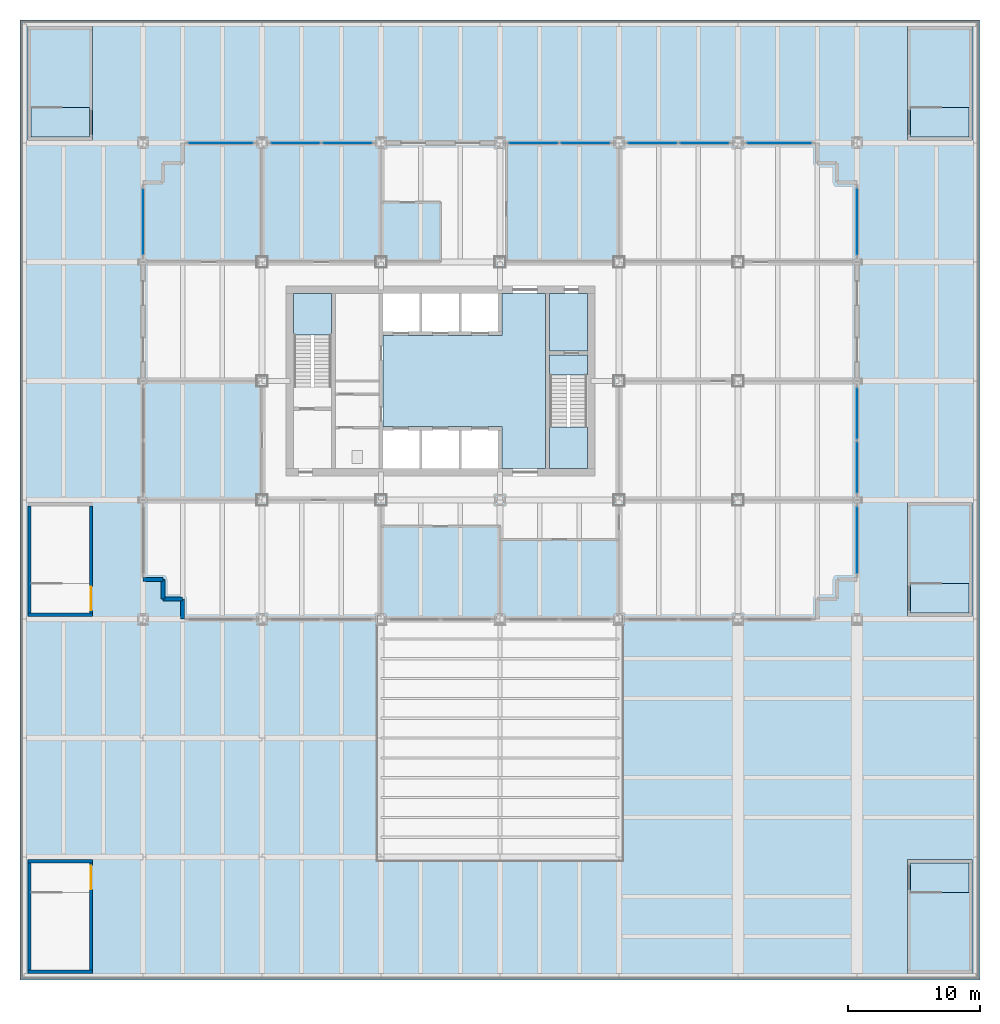
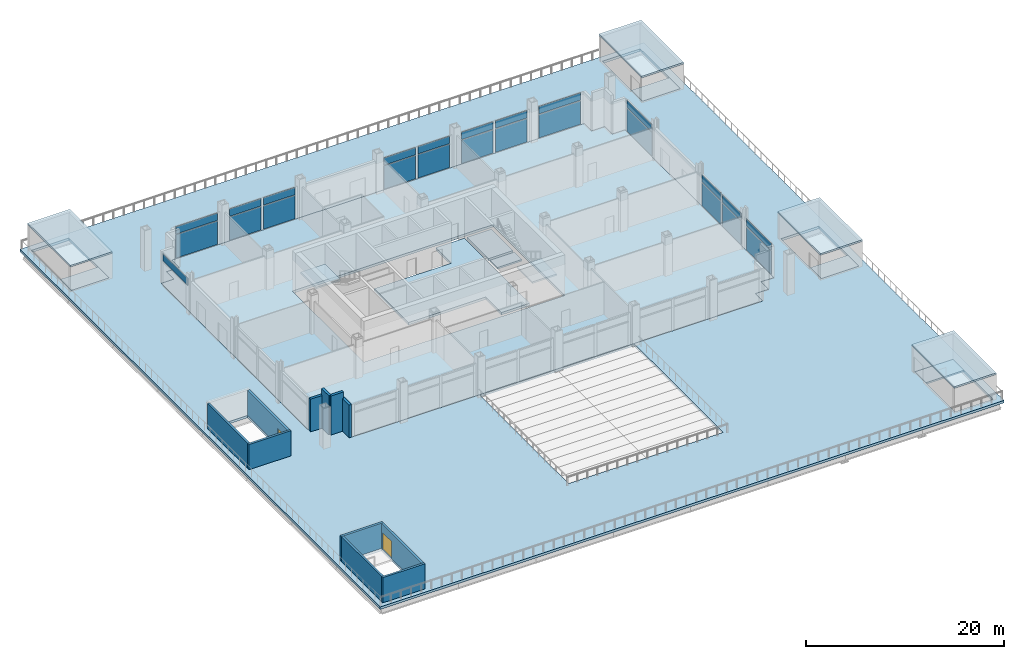
# One storey, part 7 of 16: 25 plates, 15 slabs, 11 walls, 2 doors, 2 openings, 11 elements without a shape of their own.
"""IFC4 building model written with IfcOpenShell, lengths in metres."""

from ifc_helpers import new_model, si_unit, direction, frame, frame_2d, origin, origin_2d, place, context, subcontext, project, spatial, polyline, rectangle, outline, extrude, material, layer, layer_set, type_object, element, fill, aggregate, save


model = new_model("IFC4")

# Units and contexts
model_context = context("Model", 3, precision=1e-05, world=origin(), true_north=direction((0.0, 1.0)))
body_context = subcontext(model_context, "Body", "Model", "MODEL_VIEW")
ifc_project = project(units=[si_unit("LENGTHUNIT", "METRE"), si_unit("AREAUNIT", "SQUARE_METRE"), si_unit("VOLUMEUNIT", "CUBIC_METRE"), si_unit("PLANEANGLEUNIT", "RADIAN"), si_unit("MASSUNIT", "GRAM", prefix="KILO")], contexts=[model_context])

# Site, building, storey
site_placement = place(None, origin())
site = spatial("IfcSite", under=ifc_project, at=site_placement, CompositionType="ELEMENT")
building_placement = place(site_placement, origin())
building = spatial("IfcBuilding", under=site, at=building_placement, Name="Loomwork Tower", CompositionType="ELEMENT")
storey_placement = place(building_placement, frame((0.0, 0.0, 23.0)))
storey = spatial("IfcBuildingStorey", under=building, at=storey_placement, Name="L04", CompositionType="ELEMENT", Elevation=23.0)

# Slabs
ifc_material_1 = material(Name="Concrete 5000 psi (34 MPa) on composite metal deck", Category="concrete")
ifc_layer_1 = layer(ifc_material_1, 0.300048828125)
ifc_layer_set_1 = layer_set([ifc_layer_1], Name="Floor slab 300")
slab_type_1 = type_object("IfcSlabType", Name="Floor slab 300", PredefinedType="FLOOR", material=ifc_layer_set_1)
slab_1_placement = place(storey_placement, frame((0.0, 0.0, -0.300048828125)))
element("IfcSlab", 1, at=slab_1_placement, inside=storey, type_object=slab_type_1, Name="Floor slab L04", PredefinedType="FLOOR", context=body_context, shape_type="SweptSolid", body=[
    extrude(outline(polyline([(3.0, 1.5), (1.5, 1.5), (1.5, 3.0), (0.0, 3.0), (0.0, 33.0), (1.5, 33.0), (1.5, 34.5), (3.0, 34.5), (3.0, 36.0), (51.0, 36.0), (51.0, 34.5), (52.5, 34.5), (52.5, 33.0), (54.0, 33.0), (54.0, 3.0), (52.5, 3.0), (52.5, 1.5), (51.0, 1.5), (51.0, 0.0), (3.0, 0.0), (3.0, 1.5)]), holes=[polyline([(10.800048828125, 11.39990234375), (10.800048828125, 11.39990234375), (10.800048828125, 10.800048828125), (34.199951171875, 10.800048828125), (34.199951171875, 11.39990234375), (34.199951171875, 11.39990234375), (34.199951171875, 24.60009765625), (34.199951171875, 25.199951171875), (10.800048828125, 25.199951171875), (10.800048828125, 24.60009765625), (10.800048828125, 11.39990234375)])]), origin(), (0.0, 0.0, 1.0), 0.300048828125),
])
slab_2_placement = place(storey_placement, frame((0.0, 0.0, -0.300048828125)))
element("IfcSlab", 2, at=slab_2_placement, inside=storey, type_object=slab_type_1, Name="Floor slab L04", PredefinedType="FLOOR", context=body_context, shape_type="SweptSolid", body=[
    extrude(outline(polyline([(30.449951171875, 24.60009765625), (30.449951171875, 11.39990234375), (27.14990234375, 11.39990234375), (27.14990234375, 14.25), (27.14990234375, 14.550048828125), (18.14990234375, 14.550048828125), (18.14990234375, 21.449951171875), (27.14990234375, 21.449951171875), (27.14990234375, 21.75), (27.14990234375, 24.60009765625), (30.449951171875, 24.60009765625)])), origin(), (0.0, 0.0, 1.0), 0.300048828125),
])
slab_3_placement = place(storey_placement, frame((0.0, 0.0, -0.300048828125)))
element("IfcSlab", 3, at=slab_3_placement, inside=storey, type_object=slab_type_1, Name="Floor slab L04", PredefinedType="FLOOR", context=body_context, shape_type="SweptSolid", body=[
    extrude(outline(polyline([(33.60009765625, 20.25), (30.75, 20.25), (30.75, 24.60009765625), (33.60009765625, 24.60009765625), (33.60009765625, 20.25)])), origin(), (0.0, 0.0, 1.0), 0.300048828125),
])
ifc_material_2 = material(Name="Concrete 5000 psi (34 MPa) on composite metal deck", Category="concrete")
ifc_layer_2 = layer(ifc_material_2, 0.300048828125)
ifc_layer_set_2 = layer_set([ifc_layer_2], Name="Roof slab 300")
slab_type_2 = type_object("IfcSlabType", Name="Roof slab 300", PredefinedType="ROOF", material=ifc_layer_set_2)
slab_4_placement = place(storey_placement, frame((0.0, 0.0, -0.300048828125)))
element("IfcSlab", 4, at=slab_4_placement, inside=storey, type_object=slab_type_2, Name="Podium roof terrace", PredefinedType="ROOF", context=body_context, shape_type="SweptSolid", body=[
    extrude(outline(polyline([(63.300048828125, 45.300048828125), (63.300048828125, -27.300048828125), (-9.300048828125, -27.300048828125), (-9.300048828125, 45.300048828125), (63.300048828125, 45.300048828125)]), holes=[polyline([(58.050048828125, -18.449951171875), (58.050048828125, -26.550048828125), (62.449951171875, -26.550048828125), (62.449951171875, -18.449951171875), (58.050048828125, -18.449951171875)]), polyline([(58.050048828125, 0.449951171875), (62.449951171875, 0.449951171875), (62.449951171875, 8.550048828125), (58.050048828125, 8.550048828125), (58.050048828125, 0.449951171875)]), polyline([(58.050048828125, 44.550048828125), (58.050048828125, 36.449951171875), (62.449951171875, 36.449951171875), (62.449951171875, 44.550048828125), (58.050048828125, 44.550048828125)]), polyline([(52.5, 1.5), (52.5, 3.0), (54.0, 3.0), (54.0, 33.0), (52.5, 33.0), (52.5, 34.5), (51.0, 34.5), (51.0, 36.0), (3.0, 36.0), (3.0, 34.5), (1.5, 34.5), (1.5, 33.0), (0.0, 33.0), (0.0, 3.0), (1.5, 3.0), (1.5, 1.5), (3.0, 1.5), (3.0, 0.0), (18.0, 0.0), (18.0, -18.0), (36.0, -18.0), (36.0, 0.0), (51.0, 0.0), (51.0, 1.5), (52.5, 1.5)]), polyline([(-8.449951171875, -26.550048828125), (-4.050048828125, -26.550048828125), (-4.050048828125, -18.449951171875), (-8.449951171875, -18.449951171875), (-8.449951171875, -26.550048828125)]), polyline([(-8.449951171875, 8.550048828125), (-8.449951171875, 0.449951171875), (-4.050048828125, 0.449951171875), (-4.050048828125, 8.550048828125), (-8.449951171875, 8.550048828125)]), polyline([(-8.449951171875, 44.550048828125), (-8.449951171875, 36.449951171875), (-4.050048828125, 36.449951171875), (-4.050048828125, 44.550048828125), (-8.449951171875, 44.550048828125)])]), origin(), (0.0, 0.0, 1.0), 0.300048828125),
])

# Curtain wall, plates
ifc_material_3 = material(Name="Aluminium curtain wall frame", Category="aluminium")
curtain_wall_type = type_object("IfcCurtainWallType", Name="Sky lobby glazing", PredefinedType="NOTDEFINED", material=ifc_material_3)
curtain_wall_1_placement = place(storey_placement, origin())
curtain_wall_1 = element("IfcCurtainWall", 5, at=curtain_wall_1_placement, inside=storey, type_object=curtain_wall_type, Name="Sky lobby glazing cw/N-0", PredefinedType="NOTDEFINED")
ifc_material_4 = material(Name="Clear insulated glass", Category="glass")
ifc_layer_3 = layer(ifc_material_4, 0.031982421875)
ifc_layer_set_3 = layer_set([ifc_layer_3], Name="Sky lobby glazing panel")
plate_type = type_object("IfcPlateType", Name="Sky lobby glazing panel", PredefinedType="CURTAIN_PANEL", material=ifc_layer_set_3)
plate_1_placement = place(storey_placement, frame((5.875, 36.0, 0.080078125), z_axis=(0.0, 0.0, 1.0), x_axis=(-1.0, 0.0, 0.0)))
plate_1 = element("IfcPlate", 6, at=plate_1_placement, type_object=plate_type, Name="CW6 panel 1.1", PredefinedType="CURTAIN_PANEL", context=body_context, shape_type="SweptSolid", body=[
    extrude(rectangle(XDim=4.85009765625, YDim=0.031982421875, at=origin_2d()), origin(), (0.0, 0.0, 1.0), 2.8798828125),
])
plate_2_placement = place(storey_placement, frame((5.875, 36.0, 3.0400390625), z_axis=(0.0, 0.0, 1.0), x_axis=(-1.0, 0.0, 0.0)))
plate_2 = element("IfcPlate", 7, at=plate_2_placement, type_object=plate_type, Name="CW6 panel 1.2", PredefinedType="CURTAIN_PANEL", context=body_context, shape_type="SweptSolid", body=[
    extrude(rectangle(XDim=4.85009765625, YDim=0.031982421875, at=origin_2d()), origin(), (0.0, 0.0, 1.0), 0.900146484375),
])
aggregate(curtain_wall_1, [plate_1, plate_2])

curtain_wall_2_placement = place(storey_placement, origin())
curtain_wall_2 = element("IfcCurtainWall", 8, at=curtain_wall_2_placement, inside=storey, type_object=curtain_wall_type, Name="Sky lobby glazing cw/N-9", PredefinedType="NOTDEFINED")
plate_3_placement = place(storey_placement, frame((15.47509765625, 36.0, 0.080078125), z_axis=(0.0, 0.0, 1.0), x_axis=(-1.0, 0.0, 0.0)))
plate_3 = element("IfcPlate", 9, at=plate_3_placement, type_object=plate_type, Name="CW6 panel 1.1", PredefinedType="CURTAIN_PANEL", context=body_context, shape_type="SweptSolid", body=[
    extrude(rectangle(XDim=3.64990234375, YDim=0.031982421875, at=origin_2d()), origin(), (0.0, 0.0, 1.0), 2.8798828125),
])
plate_4_placement = place(storey_placement, frame((15.47509765625, 36.0, 3.0400390625), z_axis=(0.0, 0.0, 1.0), x_axis=(-1.0, 0.0, 0.0)))
plate_4 = element("IfcPlate", 10, at=plate_4_placement, type_object=plate_type, Name="CW6 panel 1.2", PredefinedType="CURTAIN_PANEL", context=body_context, shape_type="SweptSolid", body=[
    extrude(rectangle(XDim=3.64990234375, YDim=0.031982421875, at=origin_2d()), origin(), (0.0, 0.0, 1.0), 0.900146484375),
])
plate_5_placement = place(storey_placement, frame((11.52490234375, 36.0, 0.080078125), z_axis=(0.0, 0.0, 1.0), x_axis=(-1.0, 0.0, 0.0)))
plate_5 = element("IfcPlate", 11, at=plate_5_placement, type_object=plate_type, Name="CW6 panel 2.1", PredefinedType="CURTAIN_PANEL", context=body_context, shape_type="SweptSolid", body=[
    extrude(rectangle(XDim=3.64990234375, YDim=0.031982421875, at=origin_2d()), origin(), (0.0, 0.0, 1.0), 2.8798828125),
])
plate_6_placement = place(storey_placement, frame((11.52490234375, 36.0, 3.0400390625), z_axis=(0.0, 0.0, 1.0), x_axis=(-1.0, 0.0, 0.0)))
plate_6 = element("IfcPlate", 12, at=plate_6_placement, type_object=plate_type, Name="CW6 panel 2.2", PredefinedType="CURTAIN_PANEL", context=body_context, shape_type="SweptSolid", body=[
    extrude(rectangle(XDim=3.64990234375, YDim=0.031982421875, at=origin_2d()), origin(), (0.0, 0.0, 1.0), 0.900146484375),
])
aggregate(curtain_wall_2, [plate_3, plate_4, plate_5, plate_6])

curtain_wall_3_placement = place(storey_placement, origin())
curtain_wall_3 = element("IfcCurtainWall", 13, at=curtain_wall_3_placement, inside=storey, type_object=curtain_wall_type, Name="Sky lobby glazing cw/N-27", PredefinedType="NOTDEFINED")
plate_7_placement = place(storey_placement, frame((33.47509765625, 36.0, 0.080078125), z_axis=(0.0, 0.0, 1.0), x_axis=(-1.0, 0.0, 0.0)))
plate_7 = element("IfcPlate", 14, at=plate_7_placement, type_object=plate_type, Name="CW6 panel 1.1", PredefinedType="CURTAIN_PANEL", context=body_context, shape_type="SweptSolid", body=[
    extrude(rectangle(XDim=3.64990234375, YDim=0.031982421875, at=origin_2d()), origin(), (0.0, 0.0, 1.0), 2.8798828125),
])
plate_8_placement = place(storey_placement, frame((33.47509765625, 36.0, 3.0400390625), z_axis=(0.0, 0.0, 1.0), x_axis=(-1.0, 0.0, 0.0)))
plate_8 = element("IfcPlate", 15, at=plate_8_placement, type_object=plate_type, Name="CW6 panel 1.2", PredefinedType="CURTAIN_PANEL", context=body_context, shape_type="SweptSolid", body=[
    extrude(rectangle(XDim=3.64990234375, YDim=0.031982421875, at=origin_2d()), origin(), (0.0, 0.0, 1.0), 0.900146484375),
])
plate_9_placement = place(storey_placement, frame((29.52490234375, 36.0, 0.080078125), z_axis=(0.0, 0.0, 1.0), x_axis=(-1.0, 0.0, 0.0)))
plate_9 = element("IfcPlate", 16, at=plate_9_placement, type_object=plate_type, Name="CW6 panel 2.1", PredefinedType="CURTAIN_PANEL", context=body_context, shape_type="SweptSolid", body=[
    extrude(rectangle(XDim=3.64990234375, YDim=0.031982421875, at=origin_2d()), origin(), (0.0, 0.0, 1.0), 2.8798828125),
])
plate_10_placement = place(storey_placement, frame((29.52490234375, 36.0, 3.0400390625), z_axis=(0.0, 0.0, 1.0), x_axis=(-1.0, 0.0, 0.0)))
plate_10 = element("IfcPlate", 17, at=plate_10_placement, type_object=plate_type, Name="CW6 panel 2.2", PredefinedType="CURTAIN_PANEL", context=body_context, shape_type="SweptSolid", body=[
    extrude(rectangle(XDim=3.64990234375, YDim=0.031982421875, at=origin_2d()), origin(), (0.0, 0.0, 1.0), 0.900146484375),
])
aggregate(curtain_wall_3, [plate_7, plate_8, plate_9, plate_10])

curtain_wall_4_placement = place(storey_placement, origin())
curtain_wall_4 = element("IfcCurtainWall", 18, at=curtain_wall_4_placement, inside=storey, type_object=curtain_wall_type, Name="Sky lobby glazing cw/N-36", PredefinedType="NOTDEFINED")
plate_11_placement = place(storey_placement, frame((42.47509765625, 36.0, 0.080078125), z_axis=(0.0, 0.0, 1.0), x_axis=(-1.0, 0.0, 0.0)))
plate_11 = element("IfcPlate", 19, at=plate_11_placement, type_object=plate_type, Name="CW6 panel 1.1", PredefinedType="CURTAIN_PANEL", context=body_context, shape_type="SweptSolid", body=[
    extrude(rectangle(XDim=3.64990234375, YDim=0.031982421875, at=origin_2d()), origin(), (0.0, 0.0, 1.0), 2.8798828125),
])
plate_12_placement = place(storey_placement, frame((42.47509765625, 36.0, 3.0400390625), z_axis=(0.0, 0.0, 1.0), x_axis=(-1.0, 0.0, 0.0)))
plate_12 = element("IfcPlate", 20, at=plate_12_placement, type_object=plate_type, Name="CW6 panel 1.2", PredefinedType="CURTAIN_PANEL", context=body_context, shape_type="SweptSolid", body=[
    extrude(rectangle(XDim=3.64990234375, YDim=0.031982421875, at=origin_2d()), origin(), (0.0, 0.0, 1.0), 0.900146484375),
])
plate_13_placement = place(storey_placement, frame((38.52490234375, 36.0, 0.080078125), z_axis=(0.0, 0.0, 1.0), x_axis=(-1.0, 0.0, 0.0)))
plate_13 = element("IfcPlate", 21, at=plate_13_placement, type_object=plate_type, Name="CW6 panel 2.1", PredefinedType="CURTAIN_PANEL", context=body_context, shape_type="SweptSolid", body=[
    extrude(rectangle(XDim=3.64990234375, YDim=0.031982421875, at=origin_2d()), origin(), (0.0, 0.0, 1.0), 2.8798828125),
])
plate_14_placement = place(storey_placement, frame((38.52490234375, 36.0, 3.0400390625), z_axis=(0.0, 0.0, 1.0), x_axis=(-1.0, 0.0, 0.0)))
plate_14 = element("IfcPlate", 22, at=plate_14_placement, type_object=plate_type, Name="CW6 panel 2.2", PredefinedType="CURTAIN_PANEL", context=body_context, shape_type="SweptSolid", body=[
    extrude(rectangle(XDim=3.64990234375, YDim=0.031982421875, at=origin_2d()), origin(), (0.0, 0.0, 1.0), 0.900146484375),
])
aggregate(curtain_wall_4, [plate_11, plate_12, plate_13, plate_14])

curtain_wall_5_placement = place(storey_placement, origin())
curtain_wall_5 = element("IfcCurtainWall", 23, at=curtain_wall_5_placement, inside=storey, type_object=curtain_wall_type, Name="Sky lobby glazing cw/N-45", PredefinedType="NOTDEFINED")
plate_15_placement = place(storey_placement, frame((48.125, 36.0, 0.080078125), z_axis=(0.0, 0.0, 1.0), x_axis=(-1.0, 0.0, 0.0)))
plate_15 = element("IfcPlate", 24, at=plate_15_placement, type_object=plate_type, Name="CW6 panel 1.1", PredefinedType="CURTAIN_PANEL", context=body_context, shape_type="SweptSolid", body=[
    extrude(rectangle(XDim=4.85009765625, YDim=0.031982421875, at=origin_2d()), origin(), (0.0, 0.0, 1.0), 2.8798828125),
])
plate_16_placement = place(storey_placement, frame((48.125, 36.0, 3.0400390625), z_axis=(0.0, 0.0, 1.0), x_axis=(-1.0, 0.0, 0.0)))
plate_16 = element("IfcPlate", 25, at=plate_16_placement, type_object=plate_type, Name="CW6 panel 1.2", PredefinedType="CURTAIN_PANEL", context=body_context, shape_type="SweptSolid", body=[
    extrude(rectangle(XDim=4.85009765625, YDim=0.031982421875, at=origin_2d()), origin(), (0.0, 0.0, 1.0), 0.900146484375),
])
aggregate(curtain_wall_5, [plate_15, plate_16])

# Curtain wall, plate
curtain_wall_6_placement = place(storey_placement, origin())
curtain_wall_6 = element("IfcCurtainWall", 26, at=curtain_wall_6_placement, inside=storey, type_object=curtain_wall_type, Name="Sky lobby glazing cw/W-27", PredefinedType="NOTDEFINED")
plate_17_placement = place(storey_placement, frame((0.0, 30.04443359375, 3.0400390625), z_axis=(0.0, 0.0, 1.0), x_axis=(0.0, -1.0, 0.0)))
plate_17 = element("IfcPlate", 27, at=plate_17_placement, type_object=plate_type, Name="CW6 panel 1.2", PredefinedType="CURTAIN_PANEL", context=body_context, shape_type="SweptSolid", body=[
    extrude(rectangle(XDim=5.01123046875, YDim=0.031982421875, at=origin_2d()), origin(), (0.0, 0.0, 1.0), 0.900146484375),
])
aggregate(curtain_wall_6, [plate_17])

# Curtain wall, plates
curtain_wall_7_placement = place(storey_placement, origin())
curtain_wall_7 = element("IfcCurtainWall", 28, at=curtain_wall_7_placement, inside=storey, type_object=curtain_wall_type, Name="Sky lobby glazing cw/E-0", PredefinedType="NOTDEFINED")
plate_18_placement = place(storey_placement, frame((54.0, 5.95556640625, 0.080078125), z_axis=(0.0, 0.0, 1.0), x_axis=(0.0, 1.0, 0.0)))
plate_18 = element("IfcPlate", 29, at=plate_18_placement, type_object=plate_type, Name="CW6 panel 1.1", PredefinedType="CURTAIN_PANEL", context=body_context, shape_type="SweptSolid", body=[
    extrude(rectangle(XDim=5.01123046875, YDim=0.031982421875, at=origin_2d()), origin(), (0.0, 0.0, 1.0), 2.8798828125),
])
plate_19_placement = place(storey_placement, frame((54.0, 5.95556640625, 3.0400390625), z_axis=(0.0, 0.0, 1.0), x_axis=(0.0, 1.0, 0.0)))
plate_19 = element("IfcPlate", 30, at=plate_19_placement, type_object=plate_type, Name="CW6 panel 1.2", PredefinedType="CURTAIN_PANEL", context=body_context, shape_type="SweptSolid", body=[
    extrude(rectangle(XDim=5.01123046875, YDim=0.031982421875, at=origin_2d()), origin(), (0.0, 0.0, 1.0), 0.900146484375),
])
aggregate(curtain_wall_7, [plate_18, plate_19])

curtain_wall_8_placement = place(storey_placement, origin())
curtain_wall_8 = element("IfcCurtainWall", 31, at=curtain_wall_8_placement, inside=storey, type_object=curtain_wall_type, Name="Sky lobby glazing cw/E-9", PredefinedType="NOTDEFINED")
plate_20_placement = place(storey_placement, frame((54.0, 11.4443359375, 0.080078125), z_axis=(0.0, 0.0, 1.0), x_axis=(0.0, 1.0, 0.0)))
plate_20 = element("IfcPlate", 32, at=plate_20_placement, type_object=plate_type, Name="CW6 panel 1.1", PredefinedType="CURTAIN_PANEL", context=body_context, shape_type="SweptSolid", body=[
    extrude(rectangle(XDim=3.811279296875, YDim=0.031982421875, at=origin_2d()), origin(), (0.0, 0.0, 1.0), 2.8798828125),
])
plate_21_placement = place(storey_placement, frame((54.0, 11.4443359375, 3.0400390625), z_axis=(0.0, 0.0, 1.0), x_axis=(0.0, 1.0, 0.0)))
plate_21 = element("IfcPlate", 33, at=plate_21_placement, type_object=plate_type, Name="CW6 panel 1.2", PredefinedType="CURTAIN_PANEL", context=body_context, shape_type="SweptSolid", body=[
    extrude(rectangle(XDim=3.811279296875, YDim=0.031982421875, at=origin_2d()), origin(), (0.0, 0.0, 1.0), 0.900146484375),
])
plate_22_placement = place(storey_placement, frame((54.0, 15.5556640625, 0.080078125), z_axis=(0.0, 0.0, 1.0), x_axis=(0.0, 1.0, 0.0)))
plate_22 = element("IfcPlate", 34, at=plate_22_placement, type_object=plate_type, Name="CW6 panel 2.1", PredefinedType="CURTAIN_PANEL", context=body_context, shape_type="SweptSolid", body=[
    extrude(rectangle(XDim=3.811279296875, YDim=0.031982421875, at=origin_2d()), origin(), (0.0, 0.0, 1.0), 2.8798828125),
])
plate_23_placement = place(storey_placement, frame((54.0, 15.5556640625, 3.0400390625), z_axis=(0.0, 0.0, 1.0), x_axis=(0.0, 1.0, 0.0)))
plate_23 = element("IfcPlate", 35, at=plate_23_placement, type_object=plate_type, Name="CW6 panel 2.2", PredefinedType="CURTAIN_PANEL", context=body_context, shape_type="SweptSolid", body=[
    extrude(rectangle(XDim=3.811279296875, YDim=0.031982421875, at=origin_2d()), origin(), (0.0, 0.0, 1.0), 0.900146484375),
])
aggregate(curtain_wall_8, [plate_20, plate_21, plate_22, plate_23])

curtain_wall_9_placement = place(storey_placement, origin())
curtain_wall_9 = element("IfcCurtainWall", 36, at=curtain_wall_9_placement, inside=storey, type_object=curtain_wall_type, Name="Sky lobby glazing cw/E-27", PredefinedType="NOTDEFINED")
plate_24_placement = place(storey_placement, frame((54.0, 30.04443359375, 0.080078125), z_axis=(0.0, 0.0, 1.0), x_axis=(0.0, 1.0, 0.0)))
plate_24 = element("IfcPlate", 37, at=plate_24_placement, type_object=plate_type, Name="CW6 panel 1.1", PredefinedType="CURTAIN_PANEL", context=body_context, shape_type="SweptSolid", body=[
    extrude(rectangle(XDim=5.01123046875, YDim=0.031982421875, at=origin_2d()), origin(), (0.0, 0.0, 1.0), 2.8798828125),
])
plate_25_placement = place(storey_placement, frame((54.0, 30.04443359375, 3.0400390625), z_axis=(0.0, 0.0, 1.0), x_axis=(0.0, 1.0, 0.0)))
plate_25 = element("IfcPlate", 38, at=plate_25_placement, type_object=plate_type, Name="CW6 panel 1.2", PredefinedType="CURTAIN_PANEL", context=body_context, shape_type="SweptSolid", body=[
    extrude(rectangle(XDim=5.01123046875, YDim=0.031982421875, at=origin_2d()), origin(), (0.0, 0.0, 1.0), 0.900146484375),
])
aggregate(curtain_wall_9, [plate_24, plate_25])

# Slabs
ifc_material_5 = material(Name="Concrete 5000 psi (34 MPa)", Category="concrete")
ifc_layer_4 = layer(ifc_material_5, 0.199951171875)
ifc_layer_set_4 = layer_set([ifc_layer_4], Name="Stair head-house roof slab 200")
slab_type_3 = type_object("IfcSlabType", Name="Stair head-house roof slab 200", PredefinedType="ROOF", material=ifc_layer_set_4)
slab_5_placement = place(storey_placement, frame((0.0, 0.0, 3.10009765625)))
element("IfcSlab", 39, at=slab_5_placement, inside=storey, type_object=slab_type_3, Name="Stair PS2 head-house roof", PredefinedType="ROOF", context=body_context, shape_type="SweptSolid", body=[
    extrude(outline(polyline([(57.800048828125, -26.800048828125), (62.699951171875, -26.800048828125), (62.699951171875, -18.199951171875), (57.800048828125, -18.199951171875), (57.800048828125, -26.800048828125)])), origin(), (0.0, 0.0, 1.0), 0.199951171875),
])
slab_6_placement = place(storey_placement, frame((0.0, 0.0, 3.10009765625)))
element("IfcSlab", 40, at=slab_6_placement, inside=storey, type_object=slab_type_3, Name="Stair PS3 head-house roof", PredefinedType="ROOF", context=body_context, shape_type="SweptSolid", body=[
    extrude(outline(polyline([(-8.699951171875, 36.199951171875), (-3.800048828125, 36.199951171875), (-3.800048828125, 44.800048828125), (-8.699951171875, 44.800048828125), (-8.699951171875, 36.199951171875)])), origin(), (0.0, 0.0, 1.0), 0.199951171875),
])
slab_7_placement = place(storey_placement, frame((0.0, 0.0, 3.10009765625)))
element("IfcSlab", 41, at=slab_7_placement, inside=storey, type_object=slab_type_3, Name="Stair PS4 head-house roof", PredefinedType="ROOF", context=body_context, shape_type="SweptSolid", body=[
    extrude(outline(polyline([(57.800048828125, 36.199951171875), (62.699951171875, 36.199951171875), (62.699951171875, 44.800048828125), (57.800048828125, 44.800048828125), (57.800048828125, 36.199951171875)])), origin(), (0.0, 0.0, 1.0), 0.199951171875),
])
slab_8_placement = place(storey_placement, frame((0.0, 0.0, 3.10009765625)))
element("IfcSlab", 42, at=slab_8_placement, inside=storey, type_object=slab_type_3, Name="Stair PS6 head-house roof", PredefinedType="ROOF", context=body_context, shape_type="SweptSolid", body=[
    extrude(outline(polyline([(57.800048828125, 0.199951171875), (62.699951171875, 0.199951171875), (62.699951171875, 8.800048828125), (57.800048828125, 8.800048828125), (57.800048828125, 0.199951171875)])), origin(), (0.0, 0.0, 1.0), 0.199951171875),
])

# Stair, slab
ifc_material_6 = material(Name="Concrete 5000 psi (34 MPa) precast stair", Category="concrete")
stair_type_1 = type_object("IfcStairType", Name="Stair ST-A 30 risers 2850 wide", PredefinedType="HALF_TURN_STAIR", material=ifc_material_6)
stair_1_placement = place(storey_placement, origin())
stair_1 = element("IfcStair", 43, at=stair_1_placement, inside=storey, type_object=stair_type_1, Name="Stair A L04", PredefinedType="HALF_TURN_STAIR")
ifc_material_7 = material(Name="Concrete 5000 psi (34 MPa)", Category="concrete")
ifc_layer_5 = layer(ifc_material_7, 0.199951171875)
ifc_layer_set_5 = layer_set([ifc_layer_5], Name="Stair landing 200")
slab_type_4 = type_object("IfcSlabType", Name="Stair landing 200", PredefinedType="LANDING", material=ifc_layer_set_5)
slab_9_placement = place(storey_placement, frame((0.0, 0.0, 2.300048828125)))
slab_9 = element("IfcSlab", 44, at=slab_9_placement, type_object=slab_type_4, Name="ST-A landing 2", PredefinedType="LANDING", context=body_context, shape_type="SweptSolid", body=[
    extrude(outline(polyline([(11.39990234375, 21.469970703125), (14.25, 21.469970703125), (14.25, 24.60009765625), (11.39990234375, 24.60009765625), (11.39990234375, 21.469970703125)])), origin(), (0.0, 0.0, 1.0), 0.199951171875),
])
aggregate(stair_1, [slab_9])

# Stair, slabs
ifc_material_8 = material(Name="Concrete 5000 psi (34 MPa) precast stair", Category="concrete")
stair_type_2 = type_object("IfcStairType", Name="Stair ST-B 30 risers 2850 wide", PredefinedType="HALF_TURN_STAIR", material=ifc_material_8)
stair_2_placement = place(storey_placement, origin())
stair_2 = element("IfcStair", 45, at=stair_2_placement, inside=storey, type_object=stair_type_2, Name="Stair B L04", PredefinedType="HALF_TURN_STAIR")
slab_10_placement = place(storey_placement, frame((0.0, 0.0, -0.199951171875)))
slab_10 = element("IfcSlab", 46, at=slab_10_placement, type_object=slab_type_4, Name="ST-B landing 1", PredefinedType="LANDING", context=body_context, shape_type="SweptSolid", body=[
    extrude(outline(polyline([(30.75, 18.449951171875), (33.60009765625, 18.449951171875), (33.60009765625, 19.949951171875), (30.75, 19.949951171875), (30.75, 18.449951171875)])), origin(), (0.0, 0.0, 1.0), 0.199951171875),
])
slab_11_placement = place(storey_placement, frame((0.0, 0.0, 2.300048828125)))
slab_11 = element("IfcSlab", 47, at=slab_11_placement, type_object=slab_type_4, Name="ST-B landing 2", PredefinedType="LANDING", context=body_context, shape_type="SweptSolid", body=[
    extrude(outline(polyline([(30.75, 11.39990234375), (33.60009765625, 11.39990234375), (33.60009765625, 14.530029296875), (30.75, 14.530029296875), (30.75, 11.39990234375)])), origin(), (0.0, 0.0, 1.0), 0.199951171875),
])
aggregate(stair_2, [slab_10, slab_11])

# Slabs
slab_12_placement = place(storey_placement, frame((0.0, 0.0, -0.199951171875)))
element("IfcSlab", 48, at=slab_12_placement, inside=storey, type_object=slab_type_4, Name="Stair PS2 terrace landing", PredefinedType="LANDING", context=body_context, shape_type="SweptSolid", body=[
    extrude(outline(polyline([(58.050048828125, -20.679931640625), (62.449951171875, -20.679931640625), (62.449951171875, -18.449951171875), (58.050048828125, -18.449951171875), (58.050048828125, -20.679931640625)])), origin(), (0.0, 0.0, 1.0), 0.199951171875),
])
slab_13_placement = place(storey_placement, frame((0.0, 0.0, -0.199951171875)))
element("IfcSlab", 49, at=slab_13_placement, inside=storey, type_object=slab_type_4, Name="Stair PS3 terrace landing", PredefinedType="LANDING", context=body_context, shape_type="SweptSolid", body=[
    extrude(outline(polyline([(-8.449951171875, 36.449951171875), (-4.050048828125, 36.449951171875), (-4.050048828125, 38.679931640625), (-8.449951171875, 38.679931640625), (-8.449951171875, 36.449951171875)])), origin(), (0.0, 0.0, 1.0), 0.199951171875),
])
slab_14_placement = place(storey_placement, frame((0.0, 0.0, -0.199951171875)))
element("IfcSlab", 50, at=slab_14_placement, inside=storey, type_object=slab_type_4, Name="Stair PS4 terrace landing", PredefinedType="LANDING", context=body_context, shape_type="SweptSolid", body=[
    extrude(outline(polyline([(58.050048828125, 36.449951171875), (62.449951171875, 36.449951171875), (62.449951171875, 38.679931640625), (58.050048828125, 38.679931640625), (58.050048828125, 36.449951171875)])), origin(), (0.0, 0.0, 1.0), 0.199951171875),
])
slab_15_placement = place(storey_placement, frame((0.0, 0.0, -0.199951171875)))
element("IfcSlab", 51, at=slab_15_placement, inside=storey, type_object=slab_type_4, Name="Stair PS6 terrace landing", PredefinedType="LANDING", context=body_context, shape_type="SweptSolid", body=[
    extrude(outline(polyline([(58.050048828125, 0.449951171875), (62.449951171875, 0.449951171875), (62.449951171875, 2.679931640625), (58.050048828125, 2.679931640625), (58.050048828125, 0.449951171875)])), origin(), (0.0, 0.0, 1.0), 0.199951171875),
])

# Walls
ifc_material_9 = material(Name="Limestone on concrete masonry", Category="masonry")
ifc_layer_6 = layer(ifc_material_9, 0.300048828125)
ifc_layer_set_6 = layer_set([ifc_layer_6], Name="Limestone corner wall 300")
wall_type_1 = type_object("IfcWallType", Name="Limestone corner wall 300", PredefinedType="SOLIDWALL", material=ifc_layer_set_6)
wall_1_placement = place(storey_placement, frame((0.0, 3.0, 0.0), z_axis=(0.0, 0.0, 1.0), x_axis=(1.0, 0.0, 0.0)))
element("IfcWall", 52, at=wall_1_placement, inside=storey, type_object=wall_type_1, Name="Stone corner wall SW 1", PredefinedType="SOLIDWALL", context=body_context, shape_type="SweptSolid", body=[
    extrude(rectangle(XDim=1.5, YDim=0.300048828125, at=frame_2d((0.75, 0.0))), origin(), (0.0, 0.0, 1.0), 4.02001953125),
])
for number, where, z_axis, x_axis, name in (
    (53, (1.5, 3.0, 0.0), (0.0, 0.0, 1.0), (0.0, -1.0, 0.0), "Stone corner wall SW 2"),
    (54, (1.5, 1.5, 0.0), (0.0, 0.0, 1.0), (1.0, 0.0, 0.0), "Stone corner wall SW 3"),
):
    element("IfcWall", number, at=place(storey_placement, frame(where, z_axis=z_axis, x_axis=x_axis)), inside=storey, type_object=wall_type_1, Name=name, PredefinedType="SOLIDWALL", context=body_context, shape_type="SweptSolid", body=[
        extrude(rectangle(XDim=1.5, YDim=0.300048828125, at=frame_2d((0.75, 0.0))), origin(), (0.0, 0.0, 1.0), 4.800048828125),
    ])
wall_2_placement = place(storey_placement, frame((3.0, 1.5, 0.0), z_axis=(0.0, 0.0, 1.0), x_axis=(0.0, -1.0, 0.0)))
element("IfcWall", 55, at=wall_2_placement, inside=storey, type_object=wall_type_1, Name="Stone corner wall SW 4", PredefinedType="SOLIDWALL", context=body_context, shape_type="SweptSolid", body=[
    extrude(rectangle(XDim=1.5, YDim=0.300048828125, at=frame_2d((0.75, 0.0))), origin(), (0.0, 0.0, 1.0), 4.02001953125),
])
ifc_material_10 = material(Name="Concrete masonry, two-hour", Category="masonry")
ifc_layer_7 = layer(ifc_material_10, 0.25)
ifc_layer_set_7 = layer_set([ifc_layer_7], Name="Stair enclosure wall 250")
wall_type_2 = type_object("IfcWallType", Name="Stair enclosure wall 250", PredefinedType="SOLIDWALL", material=ifc_layer_set_7)
for number, where, z_axis, x_axis, name in (
    (56, (-8.699951171875, -26.675048828125, 0.0), (0.0, 0.0, 1.0), (1.0, 0.0, 0.0), "Stair PS1 head-house wall S L04"),
    (57, (-8.699951171875, -18.324951171875, 0.0), (0.0, 0.0, 1.0), (1.0, 0.0, 0.0), "Stair PS1 head-house wall N L04"),
):
    element("IfcWall", number, at=place(storey_placement, frame(where, z_axis=z_axis, x_axis=x_axis)), inside=storey, type_object=wall_type_2, Name=name, PredefinedType="SOLIDWALL", context=body_context, shape_type="SweptSolid", body=[
        extrude(rectangle(XDim=4.89990234375, YDim=0.25, at=frame_2d((2.449951171875, 0.0))), origin(), (0.0, 0.0, 1.0), 3.10009765625),
    ])
wall_3_placement = place(storey_placement, frame((-8.574951171875, -26.550048828125, 0.0), z_axis=(0.0, 0.0, 1.0), x_axis=(0.0, 1.0, 0.0)))
element("IfcWall", 58, at=wall_3_placement, inside=storey, type_object=wall_type_2, Name="Stair PS1 head-house wall W L04", PredefinedType="SOLIDWALL", context=body_context, shape_type="SweptSolid", body=[
    extrude(rectangle(XDim=8.10009765625, YDim=0.25, at=frame_2d((4.050048828125, 0.0))), origin(), (0.0, 0.0, 1.0), 3.10009765625),
])

# Wall, opening, door
wall_4_placement = place(storey_placement, frame((-3.925048828125, -26.550048828125, 0.0), z_axis=(0.0, 0.0, 1.0), x_axis=(0.0, 1.0, 0.0)))
wall_4 = element("IfcWall", 59, at=wall_4_placement, inside=storey, type_object=wall_type_2, Name="Stair PS1 head-house wall E L04", PredefinedType="SOLIDWALL", context=body_context, shape_type="SweptSolid", body=[
    extrude(rectangle(XDim=8.10009765625, YDim=0.25, at=frame_2d((4.050048828125, 0.0))), origin(), (0.0, 0.0, 1.0), 3.10009765625),
])
opening_1_placement = place(wall_4_placement, frame((6.10009765625, 0.0, 0.0)))
opening_1 = element("IfcOpeningElement", 60, at=opening_1_placement, cuts=wall_4, Name="Opening D14", PredefinedType="OPENING", context=body_context, shape_type="SweptSolid", body=[
    extrude(rectangle(XDim=1.800048828125, YDim=2.10009765625, at=frame_2d((0.89990234375, 1.050048828125))), frame((0.0, 0.135009765625, 0.0), z_axis=(0.0, -1.0, 0.0), x_axis=(1.0, 0.0, 0.0)), (0.0, 0.0, 1.0), 0.27001953125),
])
ifc_material_11 = material(Name="Hollow metal door and frame")
door_type = type_object("IfcDoorType", Name="Stair double door 1800", OperationType="DOUBLE_DOOR_SINGLE_SWING", PredefinedType="DOOR", material=ifc_material_11)
door_1_placement = place(opening_1_placement, frame((1.800048828125, 0.0, 0.0), z_axis=(0.0, 0.0, 1.0), x_axis=(-1.0, 0.0, 0.0)))
door_1 = element("IfcDoor", 61, at=door_1_placement, inside=storey, type_object=door_type, Name="Stair PS1 terrace door L04", OperationType="DOUBLE_DOOR_SINGLE_SWING", OverallHeight=2.10009765625, OverallWidth=1.800048828125, PredefinedType="DOOR", context=body_context, shape_type="SweptSolid", body=[
    extrude(rectangle(XDim=1.800048828125, YDim=2.10009765625, at=frame_2d((0.89990234375, 1.050048828125))), frame((0.0, 0.02490234375, 0.0), z_axis=(0.0, -1.0, 0.0), x_axis=(1.0, 0.0, 0.0)), (0.0, 0.0, 1.0), 0.050048828125),
])
fill(opening_1, door_1)

# Walls
wall_5_placement = place(storey_placement, frame((-8.699951171875, 0.324951171875, 0.0), z_axis=(0.0, 0.0, 1.0), x_axis=(1.0, 0.0, 0.0)))
element("IfcWall", 62, at=wall_5_placement, inside=storey, type_object=wall_type_2, Name="Stair PS5 head-house wall S L04", PredefinedType="SOLIDWALL", context=body_context, shape_type="SweptSolid", body=[
    extrude(rectangle(XDim=4.89990234375, YDim=0.25, at=frame_2d((2.449951171875, 0.0))), origin(), (0.0, 0.0, 1.0), 3.10009765625),
])
wall_6_placement = place(storey_placement, frame((-8.574951171875, 0.449951171875, 0.0), z_axis=(0.0, 0.0, 1.0), x_axis=(0.0, 1.0, 0.0)))
element("IfcWall", 63, at=wall_6_placement, inside=storey, type_object=wall_type_2, Name="Stair PS5 head-house wall W L04", PredefinedType="SOLIDWALL", context=body_context, shape_type="SweptSolid", body=[
    extrude(rectangle(XDim=8.10009765625, YDim=0.25, at=frame_2d((4.050048828125, 0.0))), origin(), (0.0, 0.0, 1.0), 3.10009765625),
])

# Wall, opening, door
wall_7_placement = place(storey_placement, frame((-3.925048828125, 0.449951171875, 0.0), z_axis=(0.0, 0.0, 1.0), x_axis=(0.0, 1.0, 0.0)))
wall_7 = element("IfcWall", 64, at=wall_7_placement, inside=storey, type_object=wall_type_2, Name="Stair PS5 head-house wall E L04", PredefinedType="SOLIDWALL", context=body_context, shape_type="SweptSolid", body=[
    extrude(rectangle(XDim=8.10009765625, YDim=0.25, at=frame_2d((4.050048828125, 0.0))), origin(), (0.0, 0.0, 1.0), 3.10009765625),
])
opening_2_placement = place(wall_7_placement, frame((0.199951171875, 0.0, 0.0)))
opening_2 = element("IfcOpeningElement", 65, at=opening_2_placement, cuts=wall_7, Name="Opening D14", PredefinedType="OPENING", context=body_context, shape_type="SweptSolid", body=[
    extrude(rectangle(XDim=1.800048828125, YDim=2.10009765625, at=frame_2d((0.89990234375, 1.050048828125))), frame((0.0, 0.135009765625, 0.0), z_axis=(0.0, -1.0, 0.0), x_axis=(1.0, 0.0, 0.0)), (0.0, 0.0, 1.0), 0.27001953125),
])
door_2_placement = place(opening_2_placement, frame((1.800048828125, 0.0, 0.0), z_axis=(0.0, 0.0, 1.0), x_axis=(-1.0, 0.0, 0.0)))
door_2 = element("IfcDoor", 66, at=door_2_placement, inside=storey, type_object=door_type, Name="Stair PS5 terrace door L04", OperationType="DOUBLE_DOOR_SINGLE_SWING", OverallHeight=2.10009765625, OverallWidth=1.800048828125, PredefinedType="DOOR", context=body_context, shape_type="SweptSolid", body=[
    extrude(rectangle(XDim=1.800048828125, YDim=2.10009765625, at=frame_2d((0.89990234375, 1.050048828125))), frame((0.0, 0.02490234375, 0.0), z_axis=(0.0, -1.0, 0.0), x_axis=(1.0, 0.0, 0.0)), (0.0, 0.0, 1.0), 0.050048828125),
])
fill(opening_2, door_2)

save(model, "model.ifc")
